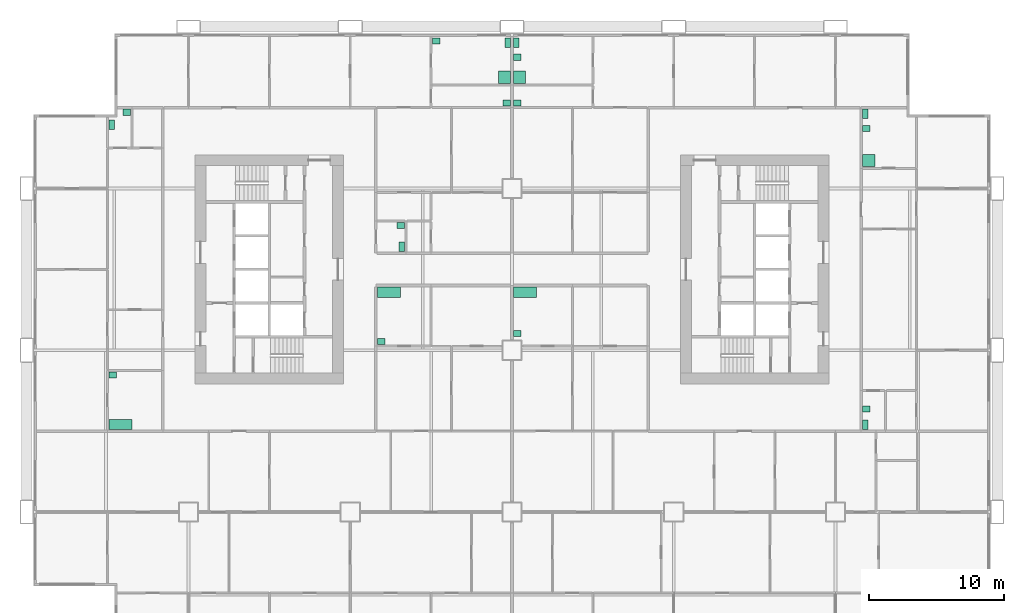
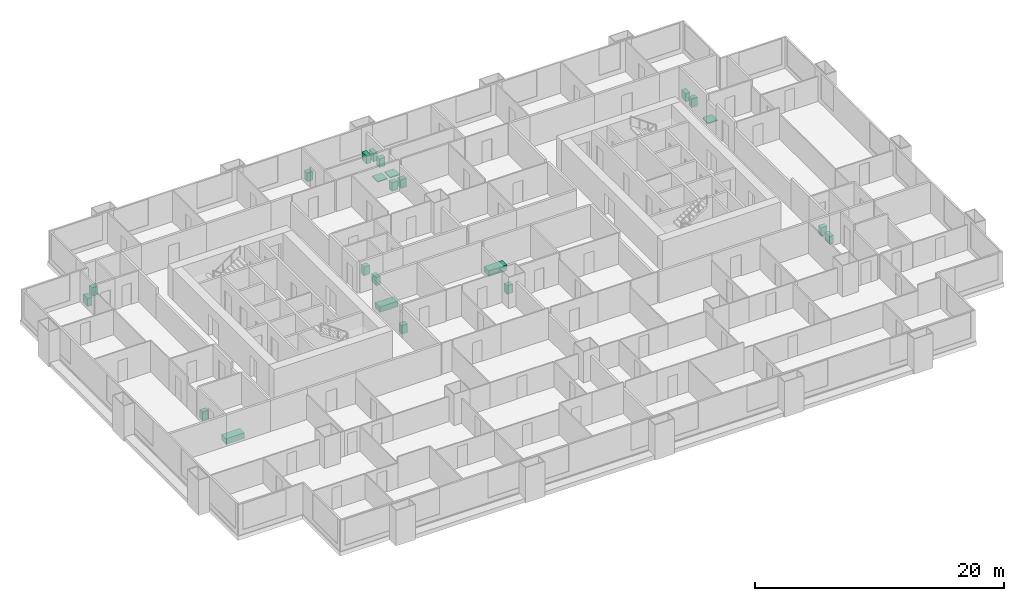
# One storey, part 13 of 13: 23 sanitary terminals.
"""IFC4 building model written with IfcOpenShell, lengths in metres."""

from ifc_helpers import new_model, si_unit, direction, frame, origin, origin_2d, place, context, subcontext, project, spatial, rectangle, extrude, material, type_object, element, save


model = new_model("IFC4")

# Units and contexts
model_context = context("Model", 3, precision=1e-05, world=origin(), true_north=direction((0.0, 1.0)))
body_context = subcontext(model_context, "Body", "Model", "MODEL_VIEW")
ifc_project = project(units=[si_unit("LENGTHUNIT", "METRE"), si_unit("AREAUNIT", "SQUARE_METRE"), si_unit("VOLUMEUNIT", "CUBIC_METRE"), si_unit("PLANEANGLEUNIT", "RADIAN"), si_unit("MASSUNIT", "GRAM", prefix="KILO")], contexts=[model_context])

# Site, building, storey
site_placement = place(None, origin())
site = spatial("IfcSite", under=ifc_project, at=site_placement, CompositionType="ELEMENT")
building_placement = place(site_placement, origin())
building = spatial("IfcBuilding", under=site, at=building_placement, Name="Kitamizu Gate Tower and Museum", CompositionType="ELEMENT")
storey_placement = place(building_placement, frame((0.0, 0.0, 36.89990234375)))
storey = spatial("IfcBuildingStorey", under=building, at=storey_placement, Name="L07", CompositionType="ELEMENT", Elevation=36.89990234375)

# Sanitary terminals
ifc_material_1 = material(Name="Acrylic")
sanitary_terminal_type_1 = type_object("IfcSanitaryTerminalType", Name="Bath", PredefinedType="BATH", material=ifc_material_1)
for number, where, z_axis, x_axis, name in (
    (1, (26.8701171875, 28.304931640625, 0.0009765625), (0.0, 0.0, 1.0), (1.0, 0.0, 0.0), "Bath Bathroom and WC 07A"),
    (2, (6.969970703125, 18.4951171875, 0.0009765625), (0.0, 0.0, 1.0), (1.0, 0.0, 0.0), "Bath Bathroom 07B"),
    (3, (36.969970703125, 28.304931640625, 0.0009765625), (0.0, 0.0, 1.0), (1.0, 0.0, 0.0), "Bath Bathroom and WC 07C"),
):
    element("IfcSanitaryTerminal", number, at=place(storey_placement, frame(where, z_axis=z_axis, x_axis=x_axis)), inside=storey, type_object=sanitary_terminal_type_1, Name=name, PredefinedType="BATH", context=body_context, shape_type="SweptSolid", body=[
        extrude(rectangle(XDim=1.699951171875, YDim=0.75, at=origin_2d()), origin(), (0.0, 0.0, 1.0), 0.550048828125),
    ])
ifc_material_2 = material(Name="Acrylic")
sanitary_terminal_type_2 = type_object("IfcSanitaryTerminalType", Name="Shower tray", PredefinedType="SHOWER", material=ifc_material_2)
for number, where, z_axis, x_axis, name in (
    (4, (62.469970703125, 38.070068359375, 0.0009765625), (0.0, 0.0, 1.0), (1.0, 0.0, 0.0), "Shower tray En-suite bathroom 07D"),
    (5, (35.429931640625, 44.25, 0.0009765625), (0.0, 0.0, 1.0), (1.0, 0.0, 0.0), "Shower tray En-suite bathroom 07E"),
    (6, (36.570068359375, 44.25, 0.0009765625), (0.0, 0.0, 1.0), (1.0, 0.0, 0.0), "Shower tray En-suite bathroom and WC 07F"),
):
    element("IfcSanitaryTerminal", number, at=place(storey_placement, frame(where, z_axis=z_axis, x_axis=x_axis)), inside=storey, type_object=sanitary_terminal_type_2, Name=name, PredefinedType="SHOWER", context=body_context, shape_type="SweptSolid", body=[
        extrude(rectangle(XDim=0.89990234375, YDim=0.89990234375, at=origin_2d()), origin(), (0.0, 0.0, 1.0), 0.10009765625),
    ])
ifc_material_3 = material(Name="Vitreous china")
sanitary_terminal_type_3 = type_object("IfcSanitaryTerminalType", Name="Wash hand basin", PredefinedType="WASHHANDBASIN", material=ifc_material_3)
for number, where, z_axis, x_axis, name in (
    (7, (26.294921875, 24.64501953125, 0.0009765625), (0.0, 0.0, 1.0), (1.0, 0.0, 0.0), "Wash hand basin Bathroom and WC 07A"),
    (8, (6.39501953125, 22.155029296875, 0.0009765625), (0.0, 0.0, 1.0), (1.0, 0.0, 0.0), "Wash hand basin Bathroom 07B"),
    (9, (7.405029296875, 41.655029296875, 0.0009765625), (0.0, 0.0, 1.0), (1.0, 0.0, 0.0), "Wash hand basin WC 07B"),
    (10, (36.39501953125, 25.2451171875, 0.0009765625), (0.0, 0.0, 1.0), (1.0, 0.0, 0.0), "Wash hand basin Bathroom and WC 07C"),
    (11, (62.294921875, 19.655029296875, 0.0009765625), (0.0, 0.0, 1.0), (1.0, 0.0, 0.0), "Wash hand basin WC 07D"),
    (12, (62.294921875, 40.455078125, 0.0009765625), (0.0, 0.0, 1.0), (1.0, 0.0, 0.0), "Wash hand basin En-suite bathroom 07D"),
    (13, (30.39501953125, 46.93505859375, 0.0009765625), (0.0, 0.0, 1.0), (1.0, 0.0, 0.0), "Wash hand basin En-suite bathroom 07E"),
    (14, (35.60498046875, 42.344970703125, 0.0009765625), (0.0, 0.0, 1.0), (1.0, 0.0, 0.0), "Wash hand basin Wash room 07E"),
    (15, (27.7548828125, 33.2548828125, 0.0009765625), (0.0, 0.0, 1.0), (1.0, 0.0, 0.0), "Wash hand basin WC 07E"),
    (16, (36.39501953125, 45.735107421875, 0.0009765625), (0.0, 0.0, 1.0), (1.0, 0.0, 0.0), "Wash hand basin En-suite bathroom and WC 07F"),
    (17, (36.39501953125, 42.344970703125, 0.0009765625), (0.0, 0.0, 1.0), (1.0, 0.0, 0.0), "Wash hand basin Wash room 07F"),
):
    element("IfcSanitaryTerminal", number, at=place(storey_placement, frame(where, z_axis=z_axis, x_axis=x_axis)), inside=storey, type_object=sanitary_terminal_type_3, Name=name, PredefinedType="WASHHANDBASIN", context=body_context, shape_type="SweptSolid", body=[
        extrude(rectangle(XDim=0.550048828125, YDim=0.449951171875, at=origin_2d()), origin(), (0.0, 0.0, 1.0), 0.85009765625),
    ])
ifc_material_4 = material(Name="Vitreous china")
sanitary_terminal_type_4 = type_object("IfcSanitaryTerminalType", Name="Water closet", PredefinedType="TOILETPAN", material=ifc_material_4)
for number, where, z_axis, x_axis, name in (
    (18, (6.320068359375, 40.72998046875, 0.0009765625), (0.0, 0.0, 1.0), (1.0, 0.0, 0.0), "Water closet WC 07B"),
    (19, (62.219970703125, 18.469970703125, 0.0009765625), (0.0, 0.0, 1.0), (1.0, 0.0, 0.0), "Water closet WC 07D"),
    (20, (62.219970703125, 41.530029296875, 0.0009765625), (0.0, 0.0, 1.0), (1.0, 0.0, 0.0), "Water closet En-suite bathroom 07D"),
    (21, (35.679931640625, 46.81005859375, 0.0009765625), (0.0, 0.0, 1.0), (1.0, 0.0, 0.0), "Water closet En-suite bathroom 07E"),
    (22, (27.830078125, 31.669921875, 0.0009765625), (0.0, 0.0, 1.0), (1.0, 0.0, 0.0), "Water closet WC 07E"),
    (23, (36.320068359375, 46.81005859375, 0.0009765625), (0.0, 0.0, 1.0), (1.0, 0.0, 0.0), "Water closet En-suite bathroom and WC 07F"),
):
    element("IfcSanitaryTerminal", number, at=place(storey_placement, frame(where, z_axis=z_axis, x_axis=x_axis)), inside=storey, type_object=sanitary_terminal_type_4, Name=name, PredefinedType="TOILETPAN", context=body_context, shape_type="SweptSolid", body=[
        extrude(rectangle(XDim=0.39990234375, YDim=0.699951171875, at=origin_2d()), origin(), (0.0, 0.0, 1.0), 0.800048828125),
    ])

save(model, "model.ifc")
